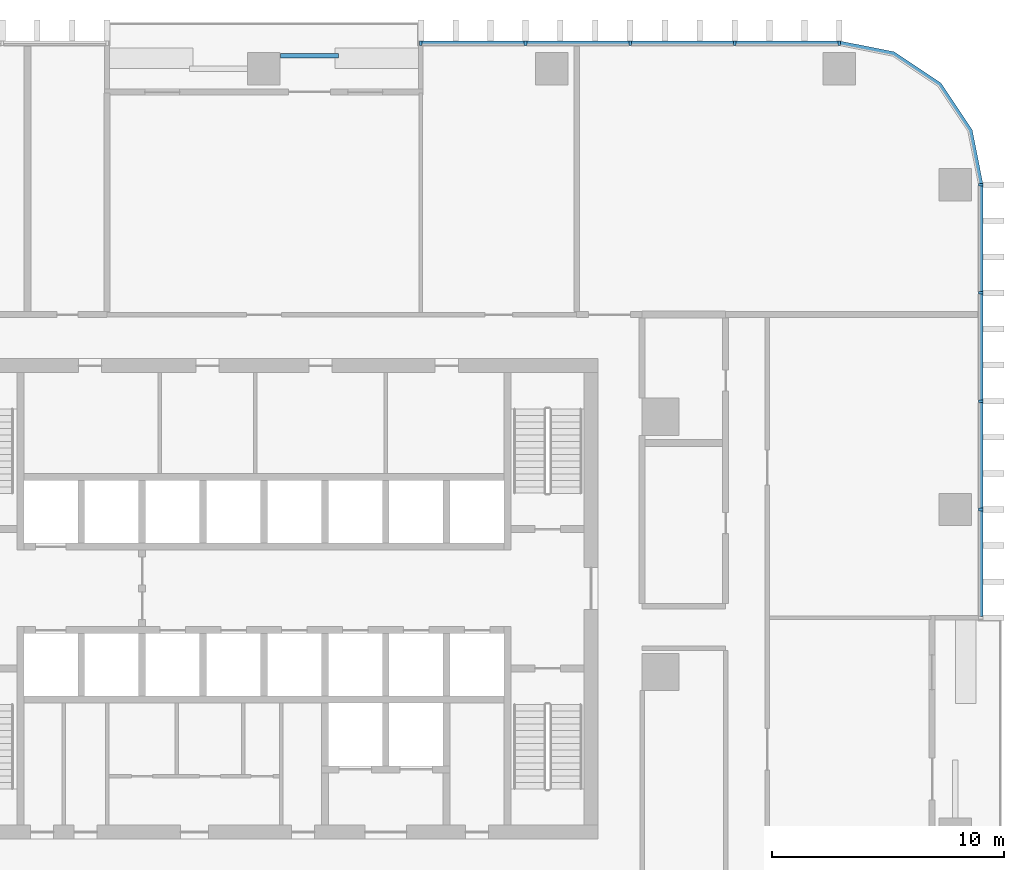
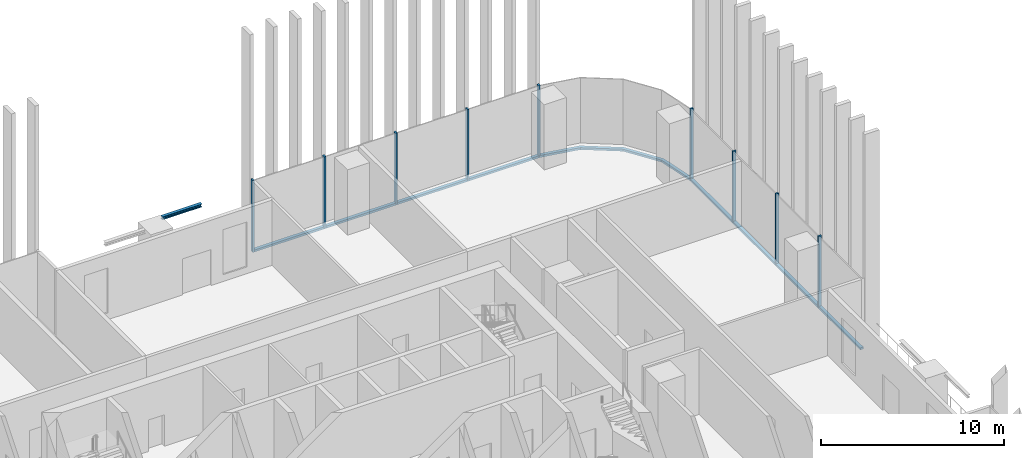
# One storey, part 5 of 17: 18 members, 1 beam, 3 elements without a shape of their own.
"""IFC4 building model written with IfcOpenShell, lengths in metres."""

from ifc_helpers import new_model, si_unit, direction, frame, origin, origin_2d, place, context, subcontext, project, spatial, polyline, rectangle, i_section, outline, extrude, material, material_profile, profile_set, type_object, element, aggregate, save


model = new_model("IFC4")

# Units and contexts
model_context = context("Model", 3, precision=1e-05, world=origin(), true_north=direction((0.0, 1.0)))
body_context = subcontext(model_context, "Body", "Model", "MODEL_VIEW")
ifc_project = project(units=[si_unit("LENGTHUNIT", "METRE"), si_unit("AREAUNIT", "SQUARE_METRE"), si_unit("VOLUMEUNIT", "CUBIC_METRE"), si_unit("PLANEANGLEUNIT", "RADIAN"), si_unit("MASSUNIT", "GRAM", prefix="KILO")], contexts=[model_context])

# Site, building, storey
site_placement = place(None, origin())
site = spatial("IfcSite", under=ifc_project, at=site_placement, CompositionType="ELEMENT")
building_placement = place(site_placement, origin())
building = spatial("IfcBuilding", under=site, at=building_placement, Name="Mopane Tessera Tower", CompositionType="ELEMENT")
storey_placement = place(building_placement, frame((0.0, 0.0, 31.0)))
storey = spatial("IfcBuildingStorey", under=building, at=storey_placement, Name="L05", CompositionType="ELEMENT", Elevation=31.0)

# Curtain wall, members
ifc_material_1 = material(Name="Aluminium frame", Category="aluminium")
curtain_wall_type = type_object("IfcCurtainWallType", Name="Lower tower unitised wall", PredefinedType="NOTDEFINED", material=ifc_material_1)
curtain_wall_1_placement = place(storey_placement, origin())
curtain_wall_1 = element("IfcCurtainWall", 1, at=curtain_wall_1_placement, inside=storey, type_object=curtain_wall_type, Name="e:cw:L05:E:5", PredefinedType="NOTDEFINED")
ifc_material_2 = material(Name="Aluminium frame", Category="aluminium")
ifc_material_profile_1 = material_profile(ifc_material_2, rectangle(XDim=0.110107421875, YDim=0.199951171875, at=origin_2d()))
ifc_profile_set_1 = profile_set([ifc_material_profile_1], Name="Aluminium frame")
member_type_1 = type_object("IfcMemberType", Name="Aluminium mullion 110 x 200", PredefinedType="MULLION", material=ifc_profile_set_1)
member_1_placement = place(storey_placement, frame((30.89990234375, 7.0, -0.449951171875), z_axis=(0.0, 0.0, 1.0), x_axis=(0.0, 1.0, 0.0)))
member_1 = element("IfcMember", 2, at=member_1_placement, type_object=member_type_1, Name="e:cw:L05:E:5:mu6", PredefinedType="MULLION", context=body_context, shape_type="SweptSolid", body=[
    extrude(rectangle(XDim=0.110107421875, YDim=0.199951171875, at=origin_2d()), origin(), (0.0, 0.0, 1.0), 4.800048828125),
])
member_2_placement = place(storey_placement, frame((30.89990234375, 11.666748046875, -0.449951171875), z_axis=(0.0, 0.0, 1.0), x_axis=(0.0, 1.0, 0.0)))
member_2 = element("IfcMember", 3, at=member_2_placement, type_object=member_type_1, Name="e:cw:L05:E:5:mu7", PredefinedType="MULLION", context=body_context, shape_type="SweptSolid", body=[
    extrude(rectangle(XDim=0.110107421875, YDim=0.199951171875, at=origin_2d()), origin(), (0.0, 0.0, 1.0), 4.800048828125),
])
member_3_placement = place(storey_placement, frame((30.89990234375, 16.333251953125, -0.449951171875), z_axis=(0.0, 0.0, 1.0), x_axis=(0.0, 1.0, 0.0)))
member_3 = element("IfcMember", 4, at=member_3_placement, type_object=member_type_1, Name="e:cw:L05:E:5:mu8", PredefinedType="MULLION", context=body_context, shape_type="SweptSolid", body=[
    extrude(rectangle(XDim=0.110107421875, YDim=0.199951171875, at=origin_2d()), origin(), (0.0, 0.0, 1.0), 4.800048828125),
])
member_4_placement = place(storey_placement, frame((30.89990234375, 21.0, -0.449951171875), z_axis=(0.0, 0.0, 1.0), x_axis=(0.0, 1.0, 0.0)))
member_4 = element("IfcMember", 5, at=member_4_placement, type_object=member_type_1, Name="e:cw:L05:E:5:mu9", PredefinedType="MULLION", context=body_context, shape_type="SweptSolid", body=[
    extrude(rectangle(XDim=0.110107421875, YDim=0.199951171875, at=origin_2d()), origin(), (0.0, 0.0, 1.0), 4.800048828125),
])

curtain_wall_2_placement = place(storey_placement, origin())
curtain_wall_2 = element("IfcCurtainWall", 6, at=curtain_wall_2_placement, inside=storey, type_object=curtain_wall_type, Name="e:cw:L05:N:0", PredefinedType="NOTDEFINED")
member_5_placement = place(storey_placement, frame((24.800048828125, 27.10009765625, -0.449951171875), z_axis=(0.0, 0.0, 1.0), x_axis=(-1.0, 0.0, 0.0)))
member_5 = element("IfcMember", 7, at=member_5_placement, type_object=member_type_1, Name="e:cw:L05:N:0:mu0", PredefinedType="MULLION", context=body_context, shape_type="SweptSolid", body=[
    extrude(rectangle(XDim=0.110107421875, YDim=0.199951171875, at=origin_2d()), origin(), (0.0, 0.0, 1.0), 4.800048828125),
])
member_6_placement = place(storey_placement, frame((20.291015625, 27.10009765625, -0.449951171875), z_axis=(0.0, 0.0, 1.0), x_axis=(-1.0, 0.0, 0.0)))
member_6 = element("IfcMember", 8, at=member_6_placement, type_object=member_type_1, Name="e:cw:L05:N:0:mu1", PredefinedType="MULLION", context=body_context, shape_type="SweptSolid", body=[
    extrude(rectangle(XDim=0.110107421875, YDim=0.199951171875, at=origin_2d()), origin(), (0.0, 0.0, 1.0), 4.800048828125),
])
member_7_placement = place(storey_placement, frame((15.78173828125, 27.10009765625, -0.449951171875), z_axis=(0.0, 0.0, 1.0), x_axis=(-1.0, 0.0, 0.0)))
member_7 = element("IfcMember", 9, at=member_7_placement, type_object=member_type_1, Name="e:cw:L05:N:0:mu2", PredefinedType="MULLION", context=body_context, shape_type="SweptSolid", body=[
    extrude(rectangle(XDim=0.110107421875, YDim=0.199951171875, at=origin_2d()), origin(), (0.0, 0.0, 1.0), 4.800048828125),
])
member_8_placement = place(storey_placement, frame((11.272705078125, 27.10009765625, -0.449951171875), z_axis=(0.0, 0.0, 1.0), x_axis=(-1.0, 0.0, 0.0)))
member_8 = element("IfcMember", 10, at=member_8_placement, type_object=member_type_1, Name="e:cw:L05:N:0:mu3", PredefinedType="MULLION", context=body_context, shape_type="SweptSolid", body=[
    extrude(rectangle(XDim=0.110107421875, YDim=0.199951171875, at=origin_2d()), origin(), (0.0, 0.0, 1.0), 4.800048828125),
])
member_9_placement = place(storey_placement, frame((6.763671875, 27.10009765625, -0.449951171875), z_axis=(0.0, 0.0, 1.0), x_axis=(-1.0, 0.0, 0.0)))
member_9 = element("IfcMember", 11, at=member_9_placement, type_object=member_type_1, Name="e:cw:L05:N:0:mu4", PredefinedType="MULLION", context=body_context, shape_type="SweptSolid", body=[
    extrude(rectangle(XDim=0.110107421875, YDim=0.199951171875, at=origin_2d()), origin(), (0.0, 0.0, 1.0), 4.800048828125),
])

# Member
ifc_material_3 = material(Name="Aluminium frame", Category="aluminium")
ifc_material_profile_2 = material_profile(ifc_material_3, rectangle(XDim=0.199951171875, YDim=0.139892578125, at=origin_2d()))
ifc_profile_set_2 = profile_set([ifc_material_profile_2], Name="Aluminium frame")
member_type_2 = type_object("IfcMemberType", Name="Aluminium transom 200 x 140", PredefinedType="USERDEFINED", material=ifc_profile_set_2)
member_10_placement = place(storey_placement, frame((30.89990234375, 2.388427734375, -0.3798828125), z_axis=(0.0, 1.0, 0.0), x_axis=(-1.0, 0.0, 0.0)))
member_10 = element("IfcMember", 12, at=member_10_placement, type_object=member_type_2, Name="e:cw:L05:E:5:tr5", ObjectType="TRANSOM", PredefinedType="USERDEFINED", context=body_context, shape_type="SweptSolid", body=[
    extrude(rectangle(XDim=0.199951171875, YDim=0.139892578125, at=origin_2d()), origin(), (0.0, 0.0, 1.0), 4.556640625),
])

member_11_placement = place(storey_placement, frame((30.89990234375, 7.054931640625, -0.3798828125), z_axis=(0.0, 1.0, 0.0), x_axis=(-1.0, 0.0, 0.0)))
member_11 = element("IfcMember", 13, at=member_11_placement, type_object=member_type_2, Name="e:cw:L05:E:5:tr6", ObjectType="TRANSOM", PredefinedType="USERDEFINED", context=body_context, shape_type="SweptSolid", body=[
    extrude(rectangle(XDim=0.199951171875, YDim=0.139892578125, at=origin_2d()), origin(), (0.0, 0.0, 1.0), 4.556640625),
])

member_12_placement = place(storey_placement, frame((30.89990234375, 11.7216796875, -0.3798828125), z_axis=(0.0, 1.0, 0.0), x_axis=(-1.0, 0.0, 0.0)))
member_12 = element("IfcMember", 14, at=member_12_placement, type_object=member_type_2, Name="e:cw:L05:E:5:tr7", ObjectType="TRANSOM", PredefinedType="USERDEFINED", context=body_context, shape_type="SweptSolid", body=[
    extrude(rectangle(XDim=0.199951171875, YDim=0.139892578125, at=origin_2d()), origin(), (0.0, 0.0, 1.0), 4.556640625),
])

member_13_placement = place(storey_placement, frame((30.89990234375, 16.388427734375, -0.3798828125), z_axis=(0.0, 1.0, 0.0), x_axis=(-1.0, 0.0, 0.0)))
member_13 = element("IfcMember", 15, at=member_13_placement, type_object=member_type_2, Name="e:cw:L05:E:5:tr8", ObjectType="TRANSOM", PredefinedType="USERDEFINED", context=body_context, shape_type="SweptSolid", body=[
    extrude(rectangle(XDim=0.199951171875, YDim=0.139892578125, at=origin_2d()), origin(), (0.0, 0.0, 1.0), 4.556640625),
])

aggregate(curtain_wall_1, [member_1, member_2, member_3, member_4, member_10, member_11, member_12, member_13])

# Curtain wall, member
curtain_wall_3_placement = place(storey_placement, origin())
curtain_wall_3 = element("IfcCurtainWall", 16, at=curtain_wall_3_placement, inside=storey, type_object=curtain_wall_type, Name="e:cw:L05:CE", PredefinedType="NOTDEFINED")
member_14_placement = place(storey_placement, frame((0.0, 0.0, -0.449951171875)))
member_14 = element("IfcMember", 17, at=member_14_placement, type_object=member_type_2, Name="e:cw:L05:CE:tr", ObjectType="TRANSOM", PredefinedType="USERDEFINED", context=body_context, shape_type="SweptSolid", body=[
    extrude(outline(polyline([(30.800048828125, 21.0), (30.34326171875, 23.296142578125), (29.042724609375, 25.24267578125), (27.09619140625, 26.543212890625), (24.800048828125, 27.0), (24.800048828125, 27.199951171875), (27.172607421875, 26.72802734375), (29.18408203125, 25.384033203125), (30.528076171875, 23.37255859375), (31.0, 21.0), (30.800048828125, 21.0)])), origin(), (0.0, 0.0, 1.0), 0.139892578125),
])
aggregate(curtain_wall_3, [member_14])

# Member
member_15_placement = place(storey_placement, frame((24.7451171875, 27.10009765625, -0.3798828125), z_axis=(-1.0, 0.0, 0.0), x_axis=(0.0, -1.0, 0.0)))
member_15 = element("IfcMember", 18, at=member_15_placement, type_object=member_type_2, Name="e:cw:L05:N:0:tr0", ObjectType="TRANSOM", PredefinedType="USERDEFINED", context=body_context, shape_type="SweptSolid", body=[
    extrude(rectangle(XDim=0.199951171875, YDim=0.139892578125, at=origin_2d()), origin(), (0.0, 0.0, 1.0), 4.399169921875),
])

member_16_placement = place(storey_placement, frame((20.23583984375, 27.10009765625, -0.3798828125), z_axis=(-1.0, 0.0, 0.0), x_axis=(0.0, -1.0, 0.0)))
member_16 = element("IfcMember", 19, at=member_16_placement, type_object=member_type_2, Name="e:cw:L05:N:0:tr1", ObjectType="TRANSOM", PredefinedType="USERDEFINED", context=body_context, shape_type="SweptSolid", body=[
    extrude(rectangle(XDim=0.199951171875, YDim=0.139892578125, at=origin_2d()), origin(), (0.0, 0.0, 1.0), 4.39892578125),
])

member_17_placement = place(storey_placement, frame((15.726806640625, 27.10009765625, -0.3798828125), z_axis=(-1.0, 0.0, 0.0), x_axis=(0.0, -1.0, 0.0)))
member_17 = element("IfcMember", 20, at=member_17_placement, type_object=member_type_2, Name="e:cw:L05:N:0:tr2", ObjectType="TRANSOM", PredefinedType="USERDEFINED", context=body_context, shape_type="SweptSolid", body=[
    extrude(rectangle(XDim=0.199951171875, YDim=0.139892578125, at=origin_2d()), origin(), (0.0, 0.0, 1.0), 4.399169921875),
])

member_18_placement = place(storey_placement, frame((11.2177734375, 27.10009765625, -0.3798828125), z_axis=(-1.0, 0.0, 0.0), x_axis=(0.0, -1.0, 0.0)))
member_18 = element("IfcMember", 21, at=member_18_placement, type_object=member_type_2, Name="e:cw:L05:N:0:tr3", ObjectType="TRANSOM", PredefinedType="USERDEFINED", context=body_context, shape_type="SweptSolid", body=[
    extrude(rectangle(XDim=0.199951171875, YDim=0.139892578125, at=origin_2d()), origin(), (0.0, 0.0, 1.0), 4.399169921875),
])

aggregate(curtain_wall_2, [member_5, member_6, member_7, member_8, member_9, member_15, member_16, member_17, member_18])

# Beam
ifc_material_4 = material(Name="Structural steel S460", Category="steel")
ifc_material_profile_3 = material_profile(ifc_material_4, i_section(OverallWidth=0.199951171875, OverallDepth=0.199951171875, WebThickness=0.009033203125, FlangeThickness=0.014892578125, FilletRadius=0.01806640625, at=origin_2d()))
ifc_profile_set_3 = profile_set([ifc_material_profile_3], Name="Structural steel S460")
beam_type = type_object("IfcBeamType", Name="Terrace trimmer beam HE 200 B", PredefinedType="BEAM", material=ifc_profile_set_3)
beam_placement = place(storey_placement, frame((0.702880859375, 26.56005859375, 4.25), z_axis=(1.0, 0.0, 0.0), x_axis=(0.0, 1.0, 0.0)))
element("IfcBeam", 22, at=beam_placement, inside=storey, type_object=beam_type, Name="Terrace trimmer beam N2 L06", PredefinedType="BEAM", context=body_context, shape_type="SweptSolid", body=[
    extrude(i_section(OverallWidth=0.199951171875, OverallDepth=0.199951171875, WebThickness=0.009033203125, FlangeThickness=0.014892578125, FilletRadius=0.01806640625, at=origin_2d()), origin(), (0.0, 0.0, 1.0), 2.5),
])

save(model, "model.ifc")
